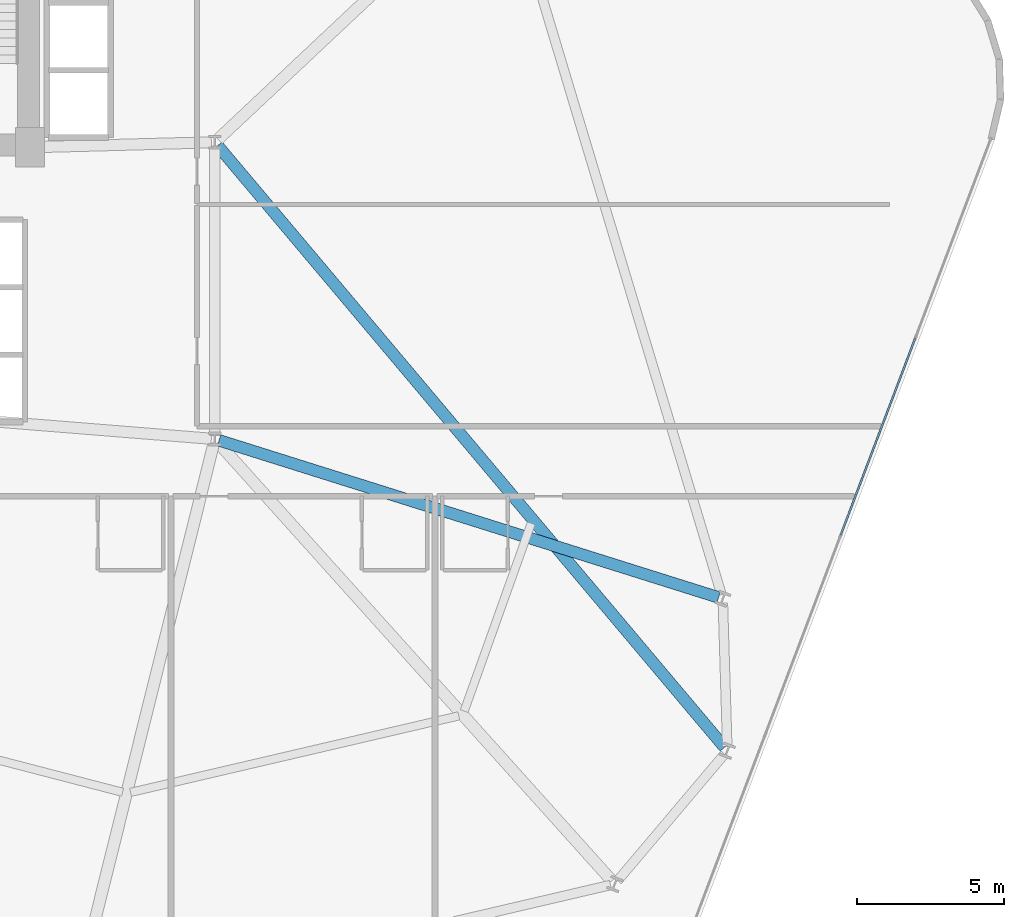
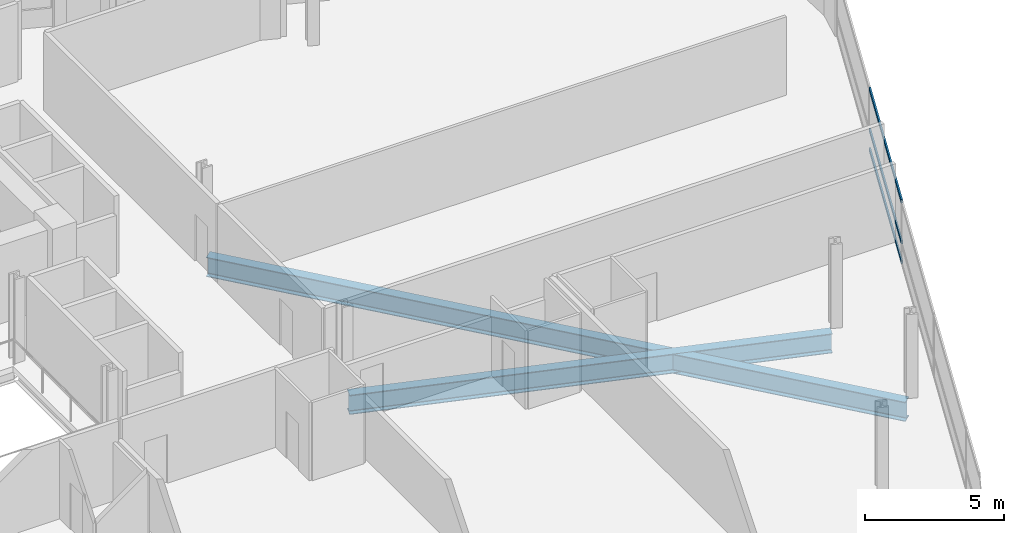
# One storey, part 12 of 25: 3 members, 2 beams, 1 element without a shape of its own.
"""IFC4 building model written with IfcOpenShell, lengths in metres."""

from ifc_helpers import new_model, si_unit, direction, frame, origin, origin_2d, place, context, subcontext, project, spatial, hollow_rectangle, i_section, extrude, material, layer, layer_set, material_profile, profile_set, type_object, element, aggregate, save


model = new_model("IFC4")

# Units and contexts
model_context = context("Model", 3, precision=1e-05, world=origin(), true_north=direction((0.0, 1.0)))
body_context = subcontext(model_context, "Body", "Model", "MODEL_VIEW")
ifc_project = project(units=[si_unit("LENGTHUNIT", "METRE"), si_unit("AREAUNIT", "SQUARE_METRE"), si_unit("VOLUMEUNIT", "CUBIC_METRE"), si_unit("PLANEANGLEUNIT", "RADIAN"), si_unit("MASSUNIT", "GRAM", prefix="KILO")], contexts=[model_context])

# Site, building, storey
site_placement = place(None, origin())
site = spatial("IfcSite", under=ifc_project, at=site_placement, CompositionType="ELEMENT")
building_placement = place(site_placement, origin())
building = spatial("IfcBuilding", under=site, at=building_placement, Name="Varnelok Gate Tower", CompositionType="ELEMENT")
storey_placement = place(building_placement, frame((0.0, 0.0, 83.60009765625)))
storey = spatial("IfcBuildingStorey", under=building, at=storey_placement, Name="L20", CompositionType="ELEMENT", Elevation=83.60009765625)

# Beams
ifc_material_1 = material(Name="Structural Steel ASTM A992 Grade 50", Category="steel")
ifc_material_profile_1 = material_profile(ifc_material_1, i_section(OverallWidth=0.39892578125, OverallDepth=0.85498046875, WebThickness=0.018310546875, FlangeThickness=0.029296875, FilletRadius=0.02392578125, at=origin_2d()), Name="W33X201")
ifc_profile_set_1 = profile_set([ifc_material_profile_1], Name="Structural Steel ASTM A992 Grade 50")
beam_type = type_object("IfcBeamType", Name="BM-PRI-W33X201", PredefinedType="BEAM", material=ifc_profile_set_1)
beam_1_placement = place(storey_placement, frame((54.0966796875, 28.805419921875, -0.677490234375), z_axis=(0.644241110533, -0.764822457502, 0.0), x_axis=(0.764822457502, 0.644241110533, 0.0)))
element("IfcBeam", 1, at=beam_1_placement, inside=storey, type_object=beam_type, Name="L20 Radial Floor Girder 7", PredefinedType="BEAM", context=body_context, shape_type="SweptSolid", body=[
    extrude(i_section(OverallWidth=0.39892578125, OverallDepth=0.85498046875, WebThickness=0.018310546875, FlangeThickness=0.029296875, FilletRadius=0.02392578125, at=origin_2d()), origin(), (0.0, 0.0, 1.0), 26.8271484375),
])
beam_2_placement = place(storey_placement, frame((54.14306640625, 18.7548828125, -0.677490234375), z_axis=(0.953948561039, -0.299970236678, 0.0), x_axis=(0.299970236678, 0.953948561039, 0.0)))
element("IfcBeam", 2, at=beam_2_placement, inside=storey, type_object=beam_type, Name="L20 Radial Floor Girder 8", PredefinedType="BEAM", context=body_context, shape_type="SweptSolid", body=[
    extrude(i_section(OverallWidth=0.39892578125, OverallDepth=0.85498046875, WebThickness=0.018310546875, FlangeThickness=0.029296875, FilletRadius=0.02392578125, at=origin_2d()), origin(), (0.0, 0.0, 1.0), 17.85498046875),
])

# Curtain wall, members
ifc_material_2 = material(Name="Anodized Aluminum Alloy 6063-T6", Category="aluminium")
ifc_layer = layer(ifc_material_2, 0.179931640625)
ifc_layer_set = layer_set([ifc_layer], Name="Anodized Aluminum Alloy 6063-T6")
curtain_wall_type = type_object("IfcCurtainWallType", Name="CW3-HOTEL-VISION", PredefinedType="USERDEFINED", material=ifc_layer_set)
curtain_wall_placement = place(storey_placement, origin())
curtain_wall = element("IfcCurtainWall", 3, at=curtain_wall_placement, inside=storey, type_object=curtain_wall_type, Name="L20 East End Vision Curtain Wall", ObjectType="UNITISED CURTAIN WALL", PredefinedType="USERDEFINED")
ifc_material_profile_2 = material_profile(ifc_material_2, hollow_rectangle(XDim=0.06494140625, YDim=0.159912109375, WallThickness=0.00390625, at=origin_2d()), Name="ALU160X65X4")
ifc_profile_set_2 = profile_set([ifc_material_profile_2], Name="Anodized Aluminum Alloy 6063-T6")
member_type = type_object("IfcMemberType", Name="CW-TRAN-160", PredefinedType="USERDEFINED", material=ifc_profile_set_2)
member_1_placement = place(storey_placement, frame((77.8798828125, 22.233642578125, 0.032470703125), z_axis=(-0.354048963644, -0.935226887628, 0.0), x_axis=(0.935226887628, -0.354048963644, 0.0)))
member_1 = element("IfcMember", 4, at=member_1_placement, type_object=member_type, Name="CW3 transom 2.1", ObjectType="TRANSOM", PredefinedType="USERDEFINED", context=body_context, shape_type="SweptSolid", body=[
    extrude(hollow_rectangle(XDim=0.06494140625, YDim=0.159912109375, WallThickness=0.00390625, at=origin_2d()), origin(), (0.0, 0.0, 1.0), 7.175048828125),
])
member_2_placement = place(storey_placement, frame((77.8798828125, 22.233642578125, 0.89990234375), z_axis=(-0.354048963644, -0.935226887628, 0.0), x_axis=(0.935226887628, -0.354048963644, 0.0)))
member_2 = element("IfcMember", 5, at=member_2_placement, type_object=member_type, Name="CW3 transom 2.2", ObjectType="TRANSOM", PredefinedType="USERDEFINED", context=body_context, shape_type="SweptSolid", body=[
    extrude(hollow_rectangle(XDim=0.06494140625, YDim=0.159912109375, WallThickness=0.00390625, at=origin_2d()), origin(), (0.0, 0.0, 1.0), 7.175048828125),
])
member_3_placement = place(storey_placement, frame((77.8798828125, 22.233642578125, 2.697509765625), z_axis=(-0.354048963644, -0.935226887628, 0.0), x_axis=(0.935226887628, -0.354048963644, 0.0)))
member_3 = element("IfcMember", 6, at=member_3_placement, type_object=member_type, Name="CW3 transom 2.3", ObjectType="TRANSOM", PredefinedType="USERDEFINED", context=body_context, shape_type="SweptSolid", body=[
    extrude(hollow_rectangle(XDim=0.06494140625, YDim=0.159912109375, WallThickness=0.00390625, at=origin_2d()), origin(), (0.0, 0.0, 1.0), 7.175048828125),
])
aggregate(curtain_wall, [member_1, member_2, member_3])

save(model, "model.ifc")
